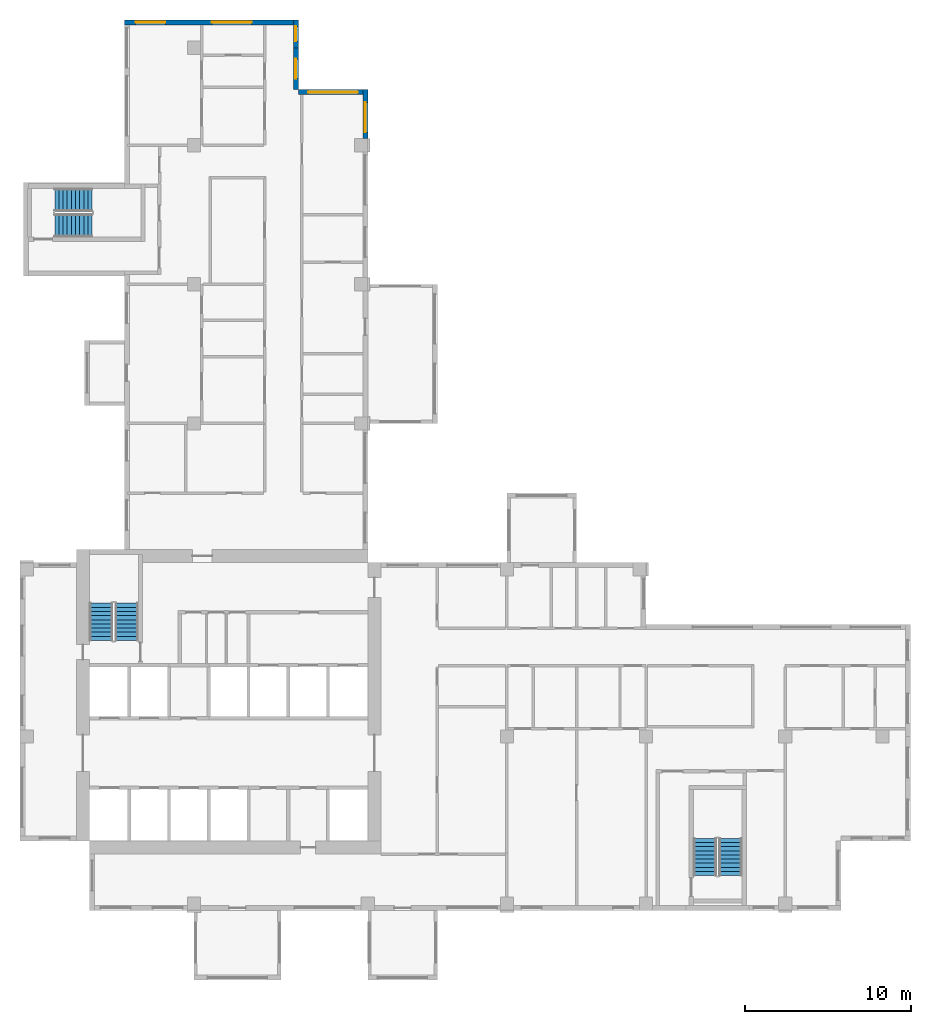
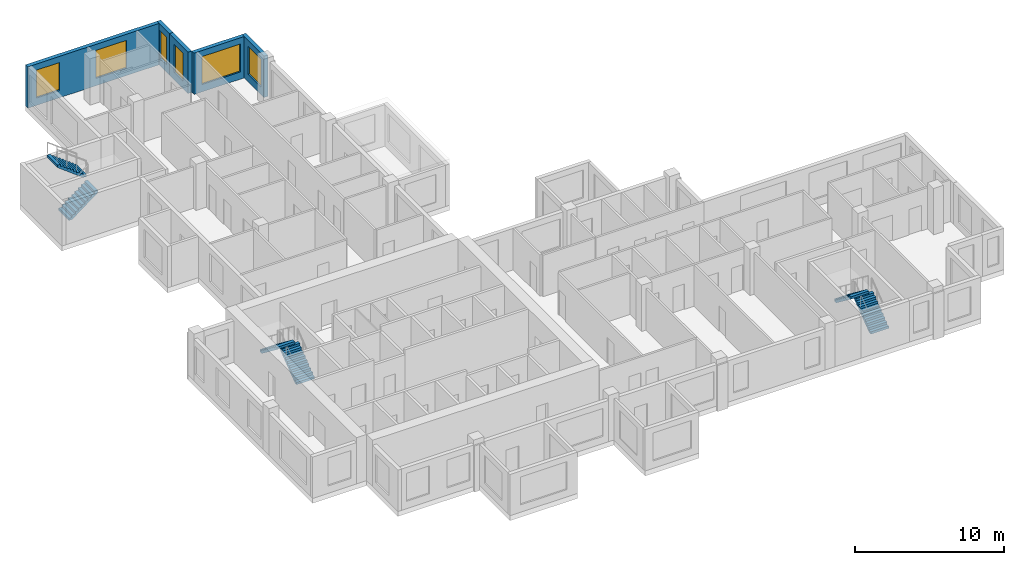
# One storey, part 8 of 12: 6 stair flights, 6 windows, 5 walls, 6 openings, 3 elements without a shape of their own.
"""IFC4 building model written with IfcOpenShell, lengths in metres."""

from ifc_helpers import new_model, si_unit, direction, frame, frame_2d, origin, place, context, subcontext, project, spatial, polyline, rectangle, outline, extrude, source, transform, mapped, material, layer, layer_set, type_object, element, fill, aggregate, save


model = new_model("IFC4")

# Units and contexts
model_context = context("Model", 3, precision=1e-05, world=origin(), true_north=direction((0.0, 1.0)))
body_context = subcontext(model_context, "Body", "Model", "MODEL_VIEW")
ifc_project = project(units=[si_unit("LENGTHUNIT", "METRE"), si_unit("AREAUNIT", "SQUARE_METRE"), si_unit("VOLUMEUNIT", "CUBIC_METRE"), si_unit("PLANEANGLEUNIT", "RADIAN"), si_unit("MASSUNIT", "GRAM", prefix="KILO")], contexts=[model_context])

# Site, building, storey
site_placement = place(None, origin())
site = spatial("IfcSite", under=ifc_project, at=site_placement, CompositionType="ELEMENT")
building_placement = place(site_placement, origin())
building = spatial("IfcBuilding", under=site, at=building_placement, Name="Aurelian Terraces", CompositionType="ELEMENT")
storey_placement = place(building_placement, frame((0.0, 0.0, 242.4)))
storey = spatial("IfcBuildingStorey", under=building, at=storey_placement, Name="L55", CompositionType="ELEMENT", Elevation=242.4)

# Wall, opening, window
ifc_material_1 = material(Name="Terracotta rainscreen cladding", Category="masonry")
ifc_layer = layer(ifc_material_1, 0.3)
ifc_layer_set = layer_set([ifc_layer], Name="EW-300")
wall_type = type_object("IfcWallType", Name="EW-300", PredefinedType="STANDARD", material=ifc_layer_set)
shared_shape_1 = source(origin(), body_context, "Body", "SweptSolid", [
    extrude(rectangle(XDim=4.2, YDim=0.3, at=frame_2d((2.1, 0.0))), origin(), (0.0, 0.0, 1.0), 3.4),
])
wall_1_placement = place(storey_placement, frame((21.0, 49.41, 0.0), z_axis=(0.0, 0.0, 1.0), x_axis=(-1.0, 0.0, 0.0)))
wall_1 = element("IfcWall", 1, at=wall_1_placement, inside=storey, type_object=wall_type, Name="External wall L55 F09.20", PredefinedType="STANDARD", context=body_context, shape_type="MappedRepresentation", body=[
    mapped(shared_shape_1, transform((0.0, 0.0, 0.0), scale=1.0)),
])
shared_shape_2 = source(origin(), body_context, "Body", "SweptSolid", [
    extrude(rectangle(XDim=3.0, YDim=2.3, at=frame_2d((1.5, 1.15))), frame((0.0, 0.16, 0.0), z_axis=(0.0, -1.0, 0.0), x_axis=(1.0, 0.0, 0.0)), (0.0, 0.0, 1.0), 0.32),
])
opening_1_placement = place(wall_1_placement, frame((0.6, 0.0, 0.6)))
opening_1 = element("IfcOpeningElement", 2, at=opening_1_placement, cuts=wall_1, Name="Opening W3023", PredefinedType="OPENING", context=body_context, shape_type="MappedRepresentation", body=[
    mapped(shared_shape_2, transform((0.0, 0.0, 0.0), scale=1.0)),
])
ifc_material_2 = material(Name="Clear glazing", Category="glass")
window_type_1 = type_object("IfcWindowType", Name="W-3000x2300", PartitioningType="SINGLE_PANEL", PredefinedType="WINDOW", material=ifc_material_2)
shared_shape_3 = source(origin(), body_context, "Body", "SweptSolid", [
    extrude(rectangle(XDim=3.0, YDim=2.3, at=frame_2d((1.5, 1.15))), frame((0.0, 0.03, 0.0), z_axis=(0.0, -1.0, 0.0), x_axis=(1.0, 0.0, 0.0)), (0.0, 0.0, 1.0), 0.06),
])
window_1_placement = place(opening_1_placement, origin())
window_1 = element("IfcWindow", 3, at=window_1_placement, inside=storey, type_object=window_type_1, Name="Window L55 L55-F09-20-0", OverallHeight=2.3, OverallWidth=3.0, PartitioningType="SINGLE_PANEL", PredefinedType="WINDOW", context=body_context, shape_type="MappedRepresentation", body=[
    mapped(shared_shape_3, transform((0.0, 0.0, 0.0), scale=1.0)),
])
fill(opening_1, window_1)

shared_shape_4 = source(origin(), body_context, "Body", "SweptSolid", [
    extrude(rectangle(XDim=2.52, YDim=0.3, at=frame_2d((1.26, 0.0))), origin(), (0.0, 0.0, 1.0), 3.4),
])
wall_2_placement = place(storey_placement, frame((16.65, 49.56, 0.0), z_axis=(0.0, 0.0, 1.0), x_axis=(0.0, 1.0, 0.0)))
wall_2 = element("IfcWall", 4, at=wall_2_placement, inside=storey, type_object=wall_type, Name="External wall L55 F10.21", PredefinedType="STANDARD", context=body_context, shape_type="MappedRepresentation", body=[
    mapped(shared_shape_4, transform((0.0, 0.0, 0.0), scale=1.0)),
])
shared_shape_5 = source(origin(), body_context, "Body", "SweptSolid", [
    extrude(rectangle(XDim=1.2, YDim=2.3, at=frame_2d((0.6, 1.15))), frame((0.0, 0.16, 0.0), z_axis=(0.0, -1.0, 0.0), x_axis=(1.0, 0.0, 0.0)), (0.0, 0.0, 1.0), 0.32),
])
opening_2_placement = place(wall_2_placement, frame((0.66, 0.0, 0.6)))
opening_2 = element("IfcOpeningElement", 5, at=opening_2_placement, cuts=wall_2, Name="Opening W1223", PredefinedType="OPENING", context=body_context, shape_type="MappedRepresentation", body=[
    mapped(shared_shape_5, transform((0.0, 0.0, 0.0), scale=1.0)),
])
window_type_2 = type_object("IfcWindowType", Name="W-1200x2300", PartitioningType="SINGLE_PANEL", PredefinedType="WINDOW", material=ifc_material_2)
shared_shape_6 = source(origin(), body_context, "Body", "SweptSolid", [
    extrude(rectangle(XDim=1.2, YDim=2.3, at=frame_2d((0.6, 1.15))), frame((0.0, 0.03, 0.0), z_axis=(0.0, -1.0, 0.0), x_axis=(1.0, 0.0, 0.0)), (0.0, 0.0, 1.0), 0.06),
])
window_2_placement = place(opening_2_placement, origin())
window_2 = element("IfcWindow", 6, at=window_2_placement, inside=storey, type_object=window_type_2, Name="Window L55 L55-F10-21-0", OverallHeight=2.3, OverallWidth=1.2, PartitioningType="SINGLE_PANEL", PredefinedType="WINDOW", context=body_context, shape_type="MappedRepresentation", body=[
    mapped(shared_shape_6, transform((0.0, 0.0, 0.0), scale=1.0)),
])
fill(opening_2, window_2)

shared_shape_7 = source(origin(), body_context, "Body", "SweptSolid", [
    extrude(rectangle(XDim=1.68, YDim=0.3, at=frame_2d((0.84, 0.0))), origin(), (0.0, 0.0, 1.0), 3.4),
])
wall_3_placement = place(storey_placement, frame((16.65, 52.08, 0.0), z_axis=(0.0, 0.0, 1.0), x_axis=(0.0, 1.0, 0.0)))
wall_3 = element("IfcWall", 7, at=wall_3_placement, inside=storey, type_object=wall_type, Name="External wall L55 F10.22", PredefinedType="STANDARD", context=body_context, shape_type="MappedRepresentation", body=[
    mapped(shared_shape_7, transform((0.0, 0.0, 0.0), scale=1.0)),
])
shared_shape_8 = source(origin(), body_context, "Body", "SweptSolid", [
    extrude(rectangle(XDim=0.9, YDim=2.3, at=frame_2d((0.45, 1.15))), frame((0.0, 0.16, 0.0), z_axis=(0.0, -1.0, 0.0), x_axis=(1.0, 0.0, 0.0)), (0.0, 0.0, 1.0), 0.32),
])
opening_3_placement = place(wall_3_placement, frame((0.39, 0.0, 0.6)))
opening_3 = element("IfcOpeningElement", 8, at=opening_3_placement, cuts=wall_3, Name="Opening W0923", PredefinedType="OPENING", context=body_context, shape_type="MappedRepresentation", body=[
    mapped(shared_shape_8, transform((0.0, 0.0, 0.0), scale=1.0)),
])
window_type_3 = type_object("IfcWindowType", Name="W-900x2300", PartitioningType="SINGLE_PANEL", PredefinedType="WINDOW", material=ifc_material_2)
shared_shape_9 = source(origin(), body_context, "Body", "SweptSolid", [
    extrude(rectangle(XDim=0.9, YDim=2.3, at=frame_2d((0.45, 1.15))), frame((0.0, 0.03, 0.0), z_axis=(0.0, -1.0, 0.0), x_axis=(1.0, 0.0, 0.0)), (0.0, 0.0, 1.0), 0.06),
])
window_3_placement = place(opening_3_placement, origin())
window_3 = element("IfcWindow", 9, at=window_3_placement, inside=storey, type_object=window_type_3, Name="Window L55 L55-F10-22-P0", OverallHeight=2.3, OverallWidth=0.9, PartitioningType="SINGLE_PANEL", PredefinedType="WINDOW", context=body_context, shape_type="MappedRepresentation", body=[
    mapped(shared_shape_9, transform((0.0, 0.0, 0.0), scale=1.0)),
])
fill(opening_3, window_3)

# Wall, openings, windows
shared_shape_10 = source(origin(), body_context, "Body", "SweptSolid", [
    extrude(rectangle(XDim=10.5, YDim=0.3, at=frame_2d((5.25, 0.0))), origin(), (0.0, 0.0, 1.0), 3.4),
])
wall_4_placement = place(storey_placement, frame((16.8, 53.61, 0.0), z_axis=(0.0, 0.0, 1.0), x_axis=(-1.0, 0.0, 0.0)))
wall_4 = element("IfcWall", 10, at=wall_4_placement, inside=storey, type_object=wall_type, Name="External wall L55 F11.23", PredefinedType="STANDARD", context=body_context, shape_type="MappedRepresentation", body=[
    mapped(shared_shape_10, transform((0.0, 0.0, 0.0), scale=1.0)),
])
shared_shape_11 = source(origin(), body_context, "Body", "SweptSolid", [
    extrude(rectangle(XDim=1.8, YDim=2.3, at=frame_2d((0.9, 1.15))), frame((0.0, 0.16, 0.0), z_axis=(0.0, -1.0, 0.0), x_axis=(1.0, 0.0, 0.0)), (0.0, 0.0, 1.0), 0.32),
])
opening_4_placement = place(wall_4_placement, frame((8.025, 0.0, 0.6)))
opening_4 = element("IfcOpeningElement", 11, at=opening_4_placement, cuts=wall_4, Name="Opening W1823", PredefinedType="OPENING", context=body_context, shape_type="MappedRepresentation", body=[
    mapped(shared_shape_11, transform((0.0, 0.0, 0.0), scale=1.0)),
])
shared_shape_12 = source(origin(), body_context, "Body", "SweptSolid", [
    extrude(rectangle(XDim=2.4, YDim=2.3, at=frame_2d((1.2, 1.15))), frame((0.0, 0.16, 0.0), z_axis=(0.0, -1.0, 0.0), x_axis=(1.0, 0.0, 0.0)), (0.0, 0.0, 1.0), 0.32),
])
opening_5_placement = place(wall_4_placement, frame((2.8125, 0.0, 0.6)))
opening_5 = element("IfcOpeningElement", 12, at=opening_5_placement, cuts=wall_4, Name="Opening W2423", PredefinedType="OPENING", context=body_context, shape_type="MappedRepresentation", body=[
    mapped(shared_shape_12, transform((0.0, 0.0, 0.0), scale=1.0)),
])
window_type_4 = type_object("IfcWindowType", Name="W-1800x2300", PartitioningType="SINGLE_PANEL", PredefinedType="WINDOW", material=ifc_material_2)
shared_shape_13 = source(origin(), body_context, "Body", "SweptSolid", [
    extrude(rectangle(XDim=1.8, YDim=2.3, at=frame_2d((0.9, 1.15))), frame((0.0, 0.03, 0.0), z_axis=(0.0, -1.0, 0.0), x_axis=(1.0, 0.0, 0.0)), (0.0, 0.0, 1.0), 0.06),
])
window_4_placement = place(opening_4_placement, origin())
window_4 = element("IfcWindow", 13, at=window_4_placement, inside=storey, type_object=window_type_4, Name="Window L55 L55-F11-23-2", OverallHeight=2.3, OverallWidth=1.8, PartitioningType="SINGLE_PANEL", PredefinedType="WINDOW", context=body_context, shape_type="MappedRepresentation", body=[
    mapped(shared_shape_13, transform((0.0, 0.0, 0.0), scale=1.0)),
])
fill(opening_4, window_4)
window_type_5 = type_object("IfcWindowType", Name="W-2400x2300", PartitioningType="SINGLE_PANEL", PredefinedType="WINDOW", material=ifc_material_2)
shared_shape_14 = source(origin(), body_context, "Body", "SweptSolid", [
    extrude(rectangle(XDim=2.4, YDim=2.3, at=frame_2d((1.2, 1.15))), frame((0.0, 0.03, 0.0), z_axis=(0.0, -1.0, 0.0), x_axis=(1.0, 0.0, 0.0)), (0.0, 0.0, 1.0), 0.06),
])
window_5_placement = place(opening_5_placement, origin())
window_5 = element("IfcWindow", 14, at=window_5_placement, inside=storey, type_object=window_type_5, Name="Window L55 L55-F11-23-G0-0", OverallHeight=2.3, OverallWidth=2.4, PartitioningType="SINGLE_PANEL", PredefinedType="WINDOW", context=body_context, shape_type="MappedRepresentation", body=[
    mapped(shared_shape_14, transform((0.0, 0.0, 0.0), scale=1.0)),
])
fill(opening_5, window_5)

# Wall, opening, window
shared_shape_15 = source(origin(), body_context, "Body", "SweptSolid", [
    extrude(rectangle(XDim=2.96, YDim=0.3, at=frame_2d((1.48, 0.0))), origin(), (0.0, 0.0, 1.0), 3.4),
])
wall_5_placement = place(storey_placement, frame((20.85, 46.6, 0.0), z_axis=(0.0, 0.0, 1.0), x_axis=(0.0, 1.0, 0.0)))
wall_5 = element("IfcWall", 15, at=wall_5_placement, inside=storey, type_object=wall_type, Name="External wall L55 F08.19", PredefinedType="STANDARD", context=body_context, shape_type="MappedRepresentation", body=[
    mapped(shared_shape_15, transform((0.0, 0.0, 0.0), scale=1.0)),
])
opening_6_placement = place(wall_5_placement, frame((0.38, 0.0, 0.6)))
opening_6 = element("IfcOpeningElement", 16, at=opening_6_placement, cuts=wall_5, Name="Opening W1823", PredefinedType="OPENING", context=body_context, shape_type="MappedRepresentation", body=[
    mapped(shared_shape_11, transform((0.0, 0.0, 0.0), scale=1.0)),
])
window_6_placement = place(opening_6_placement, origin())
window_6 = element("IfcWindow", 17, at=window_6_placement, inside=storey, type_object=window_type_4, Name="Window L55 L55-F08-19-0", OverallHeight=2.3, OverallWidth=1.8, PartitioningType="SINGLE_PANEL", PredefinedType="WINDOW", context=body_context, shape_type="MappedRepresentation", body=[
    mapped(shared_shape_13, transform((0.0, 0.0, 0.0), scale=1.0)),
])
fill(opening_6, window_6)

# Stair, stair flights
ifc_material_3 = material(Name="Concrete fc' 40 MPa", Category="concrete")
stair_type = type_object("IfcStairType", Name="Stair 1400", PredefinedType="HALF_TURN_STAIR", material=ifc_material_3)
stair_1_placement = place(storey_placement, origin())
stair_1 = element("IfcStair", 18, at=stair_1_placement, inside=storey, type_object=stair_type, Name="L55 S1", PredefinedType="HALF_TURN_STAIR")
stair_flight_type = type_object("IfcStairFlightType", Name="Stair flight 1400", PredefinedType="STRAIGHT", material=ifc_material_3)
shared_shape_16 = source(origin(), body_context, "Body", "SweptSolid", [
    extrude(outline(polyline([(0.0, 0.0), (0.0, 0.19), (0.25, 0.19), (0.25, 0.38), (0.5, 0.38), (0.5, 0.57), (0.75, 0.57), (0.75, 0.76), (1.0, 0.76), (1.0, 0.95), (1.25, 0.95), (1.25, 1.14), (1.5, 1.14), (1.5, 1.33), (1.75, 1.33), (1.75, 1.52), (2.0, 1.52), (2.0, 1.71), (2.25, 1.71), (2.25, 1.9), (2.25, 1.5216), (0.2479, 0.0), (0.0, 0.0)])), frame((0.0, 0.7, 0.0), z_axis=(0.0, -1.0, 0.0), x_axis=(1.0, 0.0, 0.0)), (0.0, 0.0, 1.0), 1.4),
])
stair_flight_1_placement = place(storey_placement, frame((6.45, 16.3, 2e-08), z_axis=(0.0, 0.0, 1.0), x_axis=(0.0, 1.0, 0.0)))
stair_flight_1 = element("IfcStairFlight", 19, at=stair_flight_1_placement, type_object=stair_flight_type, Name="S1 flight 1", NumberOfRisers=10, NumberOfTreads=9, PredefinedType="STRAIGHT", RiserHeight=0.19, TreadLength=0.25, context=body_context, shape_type="MappedRepresentation", body=[
    mapped(shared_shape_16, transform((0.0, 0.0, 0.0), scale=1.0)),
])
stair_flight_2_placement = place(storey_placement, frame((4.9, 18.55, 1.9000000200000058), z_axis=(0.0, 0.0, 1.0), x_axis=(0.0, -1.0, 0.0)))
stair_flight_2 = element("IfcStairFlight", 20, at=stair_flight_2_placement, type_object=stair_flight_type, Name="S1 flight 2", NumberOfRisers=10, NumberOfTreads=9, PredefinedType="STRAIGHT", RiserHeight=0.19, TreadLength=0.25, context=body_context, shape_type="MappedRepresentation", body=[
    mapped(shared_shape_16, transform((0.0, 0.0, 0.0), scale=1.0)),
])
aggregate(stair_1, [stair_flight_1, stair_flight_2])

stair_2_placement = place(storey_placement, origin())
stair_2 = element("IfcStair", 21, at=stair_2_placement, inside=storey, type_object=stair_type, Name="L55 S2", PredefinedType="HALF_TURN_STAIR")
stair_flight_3_placement = place(storey_placement, frame((42.9, 2.1, 2e-08), z_axis=(0.0, 0.0, 1.0), x_axis=(0.0, 1.0, 0.0)))
stair_flight_3 = element("IfcStairFlight", 22, at=stair_flight_3_placement, type_object=stair_flight_type, Name="S2 flight 1", NumberOfRisers=10, NumberOfTreads=9, PredefinedType="STRAIGHT", RiserHeight=0.19, TreadLength=0.25, context=body_context, shape_type="MappedRepresentation", body=[
    mapped(shared_shape_16, transform((0.0, 0.0, 0.0), scale=1.0)),
])
stair_flight_4_placement = place(storey_placement, frame((41.35, 4.35, 1.9000000200000058), z_axis=(0.0, 0.0, 1.0), x_axis=(0.0, -1.0, 0.0)))
stair_flight_4 = element("IfcStairFlight", 23, at=stair_flight_4_placement, type_object=stair_flight_type, Name="S2 flight 2", NumberOfRisers=10, NumberOfTreads=9, PredefinedType="STRAIGHT", RiserHeight=0.19, TreadLength=0.25, context=body_context, shape_type="MappedRepresentation", body=[
    mapped(shared_shape_16, transform((0.0, 0.0, 0.0), scale=1.0)),
])
aggregate(stair_2, [stair_flight_3, stair_flight_4])

stair_3_placement = place(storey_placement, origin())
stair_3 = element("IfcStair", 24, at=stair_3_placement, inside=storey, type_object=stair_type, Name="L55 S3", PredefinedType="HALF_TURN_STAIR")
stair_flight_5_placement = place(storey_placement, frame((2.1, 41.35, 2e-08), z_axis=(0.0, 0.0, 1.0), x_axis=(1.0, 0.0, 0.0)))
stair_flight_5 = element("IfcStairFlight", 25, at=stair_flight_5_placement, type_object=stair_flight_type, Name="S3 flight 1", NumberOfRisers=10, NumberOfTreads=9, PredefinedType="STRAIGHT", RiserHeight=0.19, TreadLength=0.25, context=body_context, shape_type="MappedRepresentation", body=[
    mapped(shared_shape_16, transform((0.0, 0.0, 0.0), scale=1.0)),
])
stair_flight_6_placement = place(storey_placement, frame((4.35, 42.9, 1.9000000200000058), z_axis=(0.0, 0.0, 1.0), x_axis=(-1.0, 0.0, 0.0)))
stair_flight_6 = element("IfcStairFlight", 26, at=stair_flight_6_placement, type_object=stair_flight_type, Name="S3 flight 2", NumberOfRisers=10, NumberOfTreads=9, PredefinedType="STRAIGHT", RiserHeight=0.19, TreadLength=0.25, context=body_context, shape_type="MappedRepresentation", body=[
    mapped(shared_shape_16, transform((0.0, 0.0, 0.0), scale=1.0)),
])
aggregate(stair_3, [stair_flight_5, stair_flight_6])

save(model, "model.ifc")
